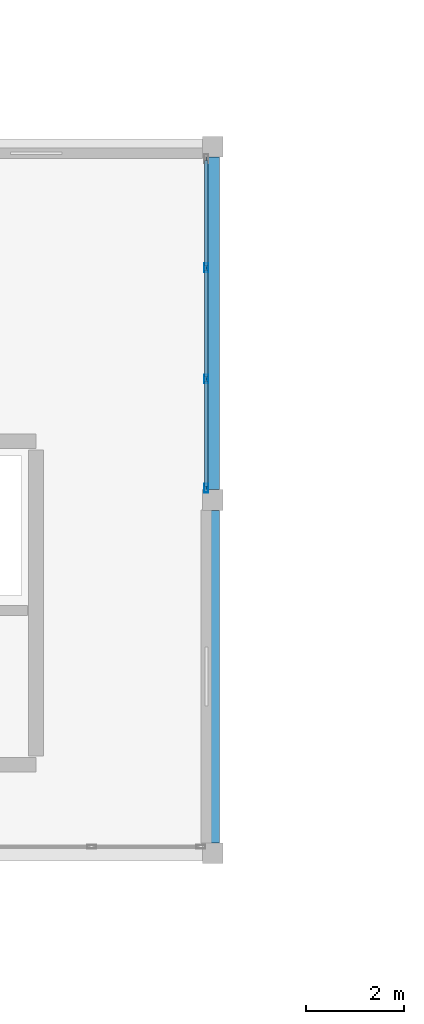
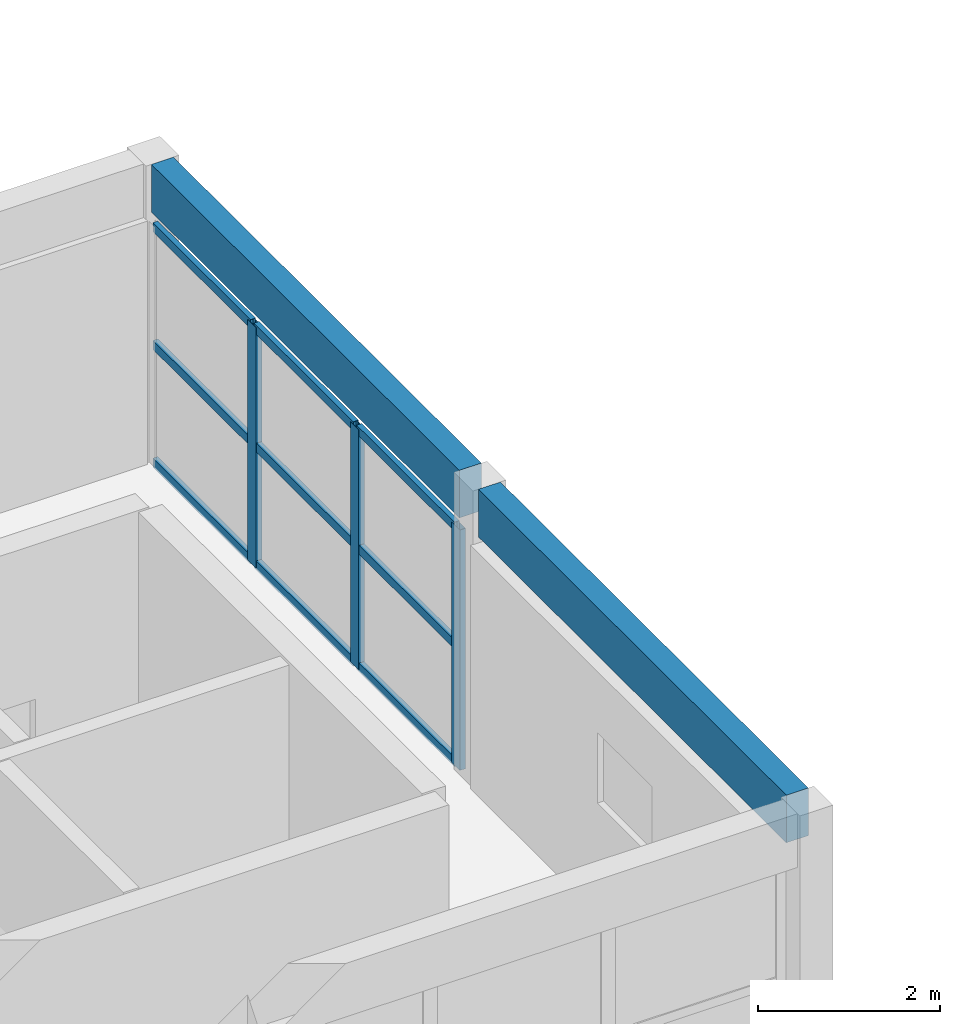
# One storey, part 35 of 68: 12 members, 2 beams, 1 element without a shape of its own.
"""IFC4 building model written with IfcOpenShell, lengths in metres."""

from ifc_helpers import new_model, si_unit, direction, frame, origin, origin_2d, place, context, subcontext, project, spatial, rectangle, hollow_rectangle, extrude, material, material_profile, profile_set, type_object, element, aggregate, save


model = new_model("IFC4")

# Units and contexts
model_context = context("Model", 3, precision=1e-05, world=origin(), true_north=direction((0.0, 1.0)))
body_context = subcontext(model_context, "Body", "Model", "MODEL_VIEW")
ifc_project = project(units=[si_unit("LENGTHUNIT", "METRE"), si_unit("AREAUNIT", "SQUARE_METRE"), si_unit("VOLUMEUNIT", "CUBIC_METRE"), si_unit("PLANEANGLEUNIT", "RADIAN"), si_unit("MASSUNIT", "GRAM", prefix="KILO")], contexts=[model_context])

# Site, building, storey
site_placement = place(None, origin())
site = spatial("IfcSite", under=ifc_project, at=site_placement, CompositionType="ELEMENT")
building_placement = place(site_placement, origin())
building = spatial("IfcBuilding", under=site, at=building_placement, Name="Bramvelor Terrace Health Centre", CompositionType="ELEMENT")
storey_placement = place(building_placement, frame((0.0, 0.0, 9.300048828125)))
storey = spatial("IfcBuildingStorey", under=building, at=storey_placement, Name="L03", CompositionType="ELEMENT", Elevation=9.300048828125)

# Beams
ifc_material_1 = material(Name="Glulam GL28h", Category="wood")
ifc_material_profile_1 = material_profile(ifc_material_1, rectangle(XDim=0.280029296875, YDim=0.639892578125, at=origin_2d()), Name="GL 280x640")
ifc_profile_set_1 = profile_set([ifc_material_profile_1], Name="Glulam GL28h")
beam_type = type_object("IfcBeamType", Name="BM-GL-G640", PredefinedType="BEAM", material=ifc_profile_set_1)
beam_1_placement = place(storey_placement, frame((93.60009765625, 86.610107421875, 3.669921875), z_axis=(0.0, 1.0, 0.0), x_axis=(-1.0, 0.0, 0.0)))
element("IfcBeam", 1, at=beam_1_placement, inside=storey, type_object=beam_type, Name="L03 Floor Girder", PredefinedType="BEAM", context=body_context, shape_type="SweptSolid", body=[
    extrude(rectangle(XDim=0.280029296875, YDim=0.639892578125, at=origin_2d()), origin(), (0.0, 0.0, 1.0), 6.77978515625),
])
beam_2_placement = place(storey_placement, frame((93.60009765625, 93.81005859375, 3.669921875), z_axis=(0.0, 1.0, 0.0), x_axis=(-1.0, 0.0, 0.0)))
element("IfcBeam", 2, at=beam_2_placement, inside=storey, type_object=beam_type, Name="L03 Floor Girder", PredefinedType="BEAM", context=body_context, shape_type="SweptSolid", body=[
    extrude(rectangle(XDim=0.280029296875, YDim=0.639892578125, at=origin_2d()), origin(), (0.0, 0.0, 1.0), 6.780029296875),
])

# Curtain wall, members
ifc_material_2 = material(Name="Anodized aluminium and double low-E glass", Category="aluminium")
curtain_wall_type = type_object("IfcCurtainWallType", Name="CW-SYS-27", PredefinedType="NOTDEFINED", material=ifc_material_2)
curtain_wall_placement = place(storey_placement, origin())
curtain_wall = element("IfcCurtainWall", 3, at=curtain_wall_placement, inside=storey, type_object=curtain_wall_type, Name="L03 Unitized Curtain Wall 178", PredefinedType="NOTDEFINED")
ifc_material_3 = material(Name="Anodized aluminium 6063-T6", Category="aluminium")
ifc_material_profile_2 = material_profile(ifc_material_3, hollow_rectangle(XDim=0.074951171875, YDim=0.179931640625, WallThickness=0.00341796875, at=origin_2d()), Name="ALU-MUL 75x180x3.5")
ifc_profile_set_2 = profile_set([ifc_material_profile_2], Name="Anodized aluminium 6063-T6")
member_type_1 = type_object("IfcMemberType", Name="CW-MUL-65x180", PredefinedType="MULLION", material=ifc_profile_set_2)
member_1_placement = place(storey_placement, frame((93.469970703125, 98.331787109375, 0.0), z_axis=(0.0, 0.0, 1.0), x_axis=(1.0, 0.0, 0.0)))
member_1 = element("IfcMember", 4, at=member_1_placement, type_object=member_type_1, Name="CW-27 mullion 2", PredefinedType="MULLION", context=body_context, shape_type="SweptSolid", body=[
    extrude(hollow_rectangle(XDim=0.074951171875, YDim=0.179931640625, WallThickness=0.00341796875, at=origin_2d()), origin(), (0.0, 0.0, 1.0), 3.22998046875),
])
member_2_placement = place(storey_placement, frame((93.469970703125, 96.068359375, 0.0), z_axis=(0.0, 0.0, 1.0), x_axis=(1.0, 0.0, 0.0)))
member_2 = element("IfcMember", 5, at=member_2_placement, type_object=member_type_1, Name="CW-27 mullion 3", PredefinedType="MULLION", context=body_context, shape_type="SweptSolid", body=[
    extrude(hollow_rectangle(XDim=0.074951171875, YDim=0.179931640625, WallThickness=0.00341796875, at=origin_2d()), origin(), (0.0, 0.0, 1.0), 3.22998046875),
])
member_3_placement = place(storey_placement, frame((93.469970703125, 93.842529296875, 0.0), z_axis=(0.0, 0.0, 1.0), x_axis=(1.0, 0.0, 0.0)))
member_3 = element("IfcMember", 6, at=member_3_placement, type_object=member_type_1, Name="CW-27 mullion 4", PredefinedType="MULLION", context=body_context, shape_type="SweptSolid", body=[
    extrude(hollow_rectangle(XDim=0.074951171875, YDim=0.179931640625, WallThickness=0.00341796875, at=origin_2d()), origin(), (0.0, 0.0, 1.0), 3.22998046875),
])
ifc_material_4 = material(Name="Anodized aluminium 6063-T6", Category="aluminium")
ifc_material_profile_3 = material_profile(ifc_material_4, hollow_rectangle(XDim=0.06494140625, YDim=0.1201171875, WallThickness=0.0029296875, at=origin_2d()), Name="ALU-TRN 65x120x3.0")
ifc_profile_set_3 = profile_set([ifc_material_profile_3], Name="Anodized aluminium 6063-T6")
member_type_2 = type_object("IfcMemberType", Name="CW-TRN-65x150", PredefinedType="USERDEFINED", material=ifc_profile_set_3)
member_4_placement = place(storey_placement, frame((93.469970703125, 100.52001953125, 0.032470703125), z_axis=(0.0, -1.0, 0.0), x_axis=(1.0, 0.0, 0.0)))
member_4 = element("IfcMember", 7, at=member_4_placement, type_object=member_type_2, Name="CW-27 transom 1.1", ObjectType="TRANSOM", PredefinedType="USERDEFINED", context=body_context, shape_type="SweptSolid", body=[
    extrude(hollow_rectangle(XDim=0.06494140625, YDim=0.1201171875, WallThickness=0.0029296875, at=origin_2d()), origin(), (0.0, 0.0, 1.0), 2.15087890625),
])
member_5_placement = place(storey_placement, frame((93.469970703125, 100.52001953125, 1.614990234375), z_axis=(0.0, -1.0, 0.0), x_axis=(1.0, 0.0, 0.0)))
member_5 = element("IfcMember", 8, at=member_5_placement, type_object=member_type_2, Name="CW-27 transom 1.2", ObjectType="TRANSOM", PredefinedType="USERDEFINED", context=body_context, shape_type="SweptSolid", body=[
    extrude(hollow_rectangle(XDim=0.06494140625, YDim=0.1201171875, WallThickness=0.0029296875, at=origin_2d()), origin(), (0.0, 0.0, 1.0), 2.15087890625),
])
member_6_placement = place(storey_placement, frame((93.469970703125, 100.52001953125, 3.197509765625), z_axis=(0.0, -1.0, 0.0), x_axis=(1.0, 0.0, 0.0)))
member_6 = element("IfcMember", 9, at=member_6_placement, type_object=member_type_2, Name="CW-27 transom 1.3", ObjectType="TRANSOM", PredefinedType="USERDEFINED", context=body_context, shape_type="SweptSolid", body=[
    extrude(hollow_rectangle(XDim=0.06494140625, YDim=0.1201171875, WallThickness=0.0029296875, at=origin_2d()), origin(), (0.0, 0.0, 1.0), 2.15087890625),
])
member_7_placement = place(storey_placement, frame((93.469970703125, 98.294189453125, 0.032470703125), z_axis=(0.0, -1.0, 0.0), x_axis=(1.0, 0.0, 0.0)))
member_7 = element("IfcMember", 10, at=member_7_placement, type_object=member_type_2, Name="CW-27 transom 2.1", ObjectType="TRANSOM", PredefinedType="USERDEFINED", context=body_context, shape_type="SweptSolid", body=[
    extrude(hollow_rectangle(XDim=0.06494140625, YDim=0.1201171875, WallThickness=0.0029296875, at=origin_2d()), origin(), (0.0, 0.0, 1.0), 2.1884765625),
])
member_8_placement = place(storey_placement, frame((93.469970703125, 98.294189453125, 1.614990234375), z_axis=(0.0, -1.0, 0.0), x_axis=(1.0, 0.0, 0.0)))
member_8 = element("IfcMember", 11, at=member_8_placement, type_object=member_type_2, Name="CW-27 transom 2.2", ObjectType="TRANSOM", PredefinedType="USERDEFINED", context=body_context, shape_type="SweptSolid", body=[
    extrude(hollow_rectangle(XDim=0.06494140625, YDim=0.1201171875, WallThickness=0.0029296875, at=origin_2d()), origin(), (0.0, 0.0, 1.0), 2.1884765625),
])
member_9_placement = place(storey_placement, frame((93.469970703125, 98.294189453125, 3.197509765625), z_axis=(0.0, -1.0, 0.0), x_axis=(1.0, 0.0, 0.0)))
member_9 = element("IfcMember", 12, at=member_9_placement, type_object=member_type_2, Name="CW-27 transom 2.3", ObjectType="TRANSOM", PredefinedType="USERDEFINED", context=body_context, shape_type="SweptSolid", body=[
    extrude(hollow_rectangle(XDim=0.06494140625, YDim=0.1201171875, WallThickness=0.0029296875, at=origin_2d()), origin(), (0.0, 0.0, 1.0), 2.1884765625),
])
member_10_placement = place(storey_placement, frame((93.469970703125, 96.03076171875, 0.032470703125), z_axis=(0.0, -1.0, 0.0), x_axis=(1.0, 0.0, 0.0)))
member_10 = element("IfcMember", 13, at=member_10_placement, type_object=member_type_2, Name="CW-27 transom 3.1", ObjectType="TRANSOM", PredefinedType="USERDEFINED", context=body_context, shape_type="SweptSolid", body=[
    extrude(hollow_rectangle(XDim=0.06494140625, YDim=0.1201171875, WallThickness=0.0029296875, at=origin_2d()), origin(), (0.0, 0.0, 1.0), 2.15087890625),
])
member_11_placement = place(storey_placement, frame((93.469970703125, 96.03076171875, 1.614990234375), z_axis=(0.0, -1.0, 0.0), x_axis=(1.0, 0.0, 0.0)))
member_11 = element("IfcMember", 14, at=member_11_placement, type_object=member_type_2, Name="CW-27 transom 3.2", ObjectType="TRANSOM", PredefinedType="USERDEFINED", context=body_context, shape_type="SweptSolid", body=[
    extrude(hollow_rectangle(XDim=0.06494140625, YDim=0.1201171875, WallThickness=0.0029296875, at=origin_2d()), origin(), (0.0, 0.0, 1.0), 2.15087890625),
])
member_12_placement = place(storey_placement, frame((93.469970703125, 96.03076171875, 3.197509765625), z_axis=(0.0, -1.0, 0.0), x_axis=(1.0, 0.0, 0.0)))
member_12 = element("IfcMember", 15, at=member_12_placement, type_object=member_type_2, Name="CW-27 transom 3.3", ObjectType="TRANSOM", PredefinedType="USERDEFINED", context=body_context, shape_type="SweptSolid", body=[
    extrude(hollow_rectangle(XDim=0.06494140625, YDim=0.1201171875, WallThickness=0.0029296875, at=origin_2d()), origin(), (0.0, 0.0, 1.0), 2.15087890625),
])
aggregate(curtain_wall, [member_1, member_2, member_3, member_4, member_5, member_6, member_7, member_8, member_9, member_10, member_11, member_12])

save(model, "model.ifc")
